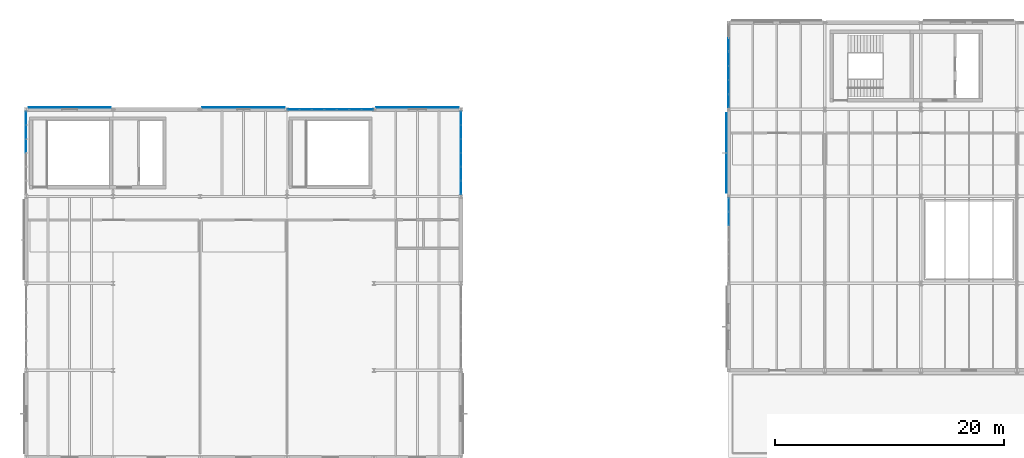
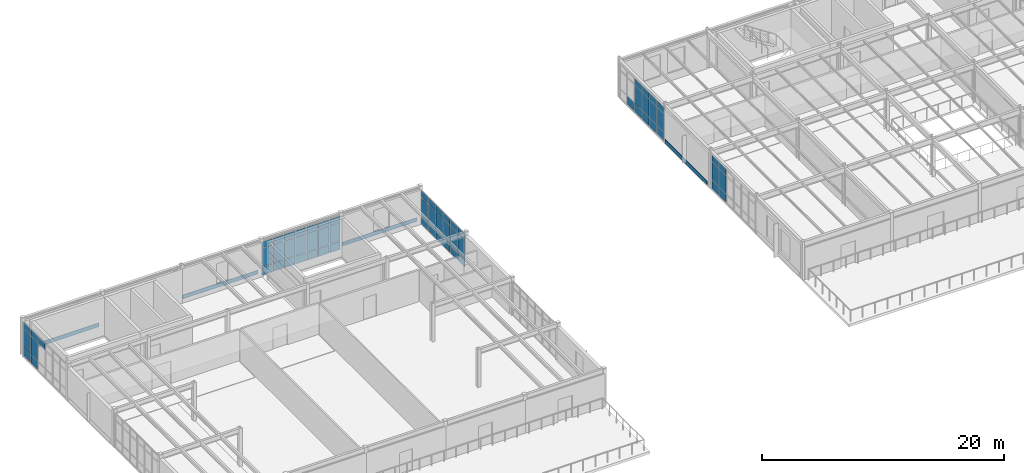
# One storey, part 72 of 114: 69 plates, 5 elements without a shape of their own.
"""IFC4 building model written with IfcOpenShell, lengths in metres."""

from ifc_helpers import new_model, si_unit, direction, frame, origin, origin_2d, place, context, subcontext, project, spatial, rectangle, extrude, material, layer, layer_set, type_object, element, aggregate, save


model = new_model("IFC4")

# Units and contexts
model_context = context("Model", 3, precision=1e-05, world=origin(), true_north=direction((0.0, 1.0)))
body_context = subcontext(model_context, "Body", "Model", "MODEL_VIEW")
ifc_project = project(units=[si_unit("LENGTHUNIT", "METRE"), si_unit("AREAUNIT", "SQUARE_METRE"), si_unit("VOLUMEUNIT", "CUBIC_METRE"), si_unit("PLANEANGLEUNIT", "RADIAN"), si_unit("MASSUNIT", "GRAM", prefix="KILO")], contexts=[model_context])

# Site, building, storey
site_placement = place(None, origin())
site = spatial("IfcSite", under=ifc_project, at=site_placement, CompositionType="ELEMENT")
building_placement = place(site_placement, origin())
building = spatial("IfcBuilding", under=site, at=building_placement, Name="Montecoro Central Library", CompositionType="ELEMENT")
storey_placement = place(building_placement, frame((0.0, 0.0, 13.260009765625)))
storey = spatial("IfcBuildingStorey", under=building, at=storey_placement, Name="L03", CompositionType="ELEMENT", Elevation=13.260009765625)

# Curtain wall, plates
ifc_material_1 = material(Name="Bronze-anodised aluminium and low-E glazing", Category="aluminium")
ifc_layer_1 = layer(ifc_material_1, 0.159912109375)
ifc_layer_set_1 = layer_set([ifc_layer_1], Name="Bronze-anodised aluminium and low-E glazing")
curtain_wall_type_1 = type_object("IfcCurtainWallType", Name="CWT-020", PredefinedType="NOTDEFINED", material=ifc_layer_set_1)
curtain_wall_1_placement = place(storey_placement, origin())
curtain_wall_1 = element("IfcCurtainWall", 1, at=curtain_wall_1_placement, inside=storey, type_object=curtain_wall_type_1, Name="V2-L03-CW-W1", PredefinedType="NOTDEFINED")
ifc_material_2 = material(Name="Laminated low-E double glazing", Category="glass")
ifc_layer_2 = layer(ifc_material_2, 0.02587890625)
ifc_layer_set_2 = layer_set([ifc_layer_2], Name="Laminated low-E double glazing")
plate_type_1 = type_object("IfcPlateType", Name="CWP-GLZ-01", PredefinedType="CURTAIN_PANEL", material=ifc_layer_set_2)
plate_1_placement = place(storey_placement, frame((66.39990234375, 103.0576171875, 0.06005859375), z_axis=(0.0, 0.0, 1.0), x_axis=(0.0, -1.0, 0.0)))
plate_1 = element("IfcPlate", 2, at=plate_1_placement, type_object=plate_type_1, Name="CW-020 panel 1.1", PredefinedType="CURTAIN_PANEL", context=body_context, shape_type="SweptSolid", body=[
    extrude(rectangle(XDim=1.138916015625, YDim=0.02587890625, at=origin_2d()), origin(), (0.0, 0.0, 1.0), 0.81005859375),
])
plate_2_placement = place(storey_placement, frame((66.39990234375, 103.0576171875, 0.93017578125), z_axis=(0.0, 0.0, 1.0), x_axis=(0.0, -1.0, 0.0)))
plate_2 = element("IfcPlate", 3, at=plate_2_placement, type_object=plate_type_1, Name="CW-020 panel 1.2", PredefinedType="CURTAIN_PANEL", context=body_context, shape_type="SweptSolid", body=[
    extrude(rectangle(XDim=1.138916015625, YDim=0.02587890625, at=origin_2d()), origin(), (0.0, 0.0, 1.0), 1.820068359375),
])
plate_3_placement = place(storey_placement, frame((66.39990234375, 103.0576171875, 2.81005859375), z_axis=(0.0, 0.0, 1.0), x_axis=(0.0, -1.0, 0.0)))
plate_3 = element("IfcPlate", 4, at=plate_3_placement, type_object=plate_type_1, Name="CW-020 panel 1.3", PredefinedType="CURTAIN_PANEL", context=body_context, shape_type="SweptSolid", body=[
    extrude(rectangle(XDim=1.138916015625, YDim=0.02587890625, at=origin_2d()), origin(), (0.0, 0.0, 1.0), 0.610107421875),
])
plate_4_placement = place(storey_placement, frame((66.39990234375, 101.843505859375, 0.06005859375), z_axis=(0.0, 0.0, 1.0), x_axis=(0.0, -1.0, 0.0)))
plate_4 = element("IfcPlate", 5, at=plate_4_placement, type_object=plate_type_1, Name="CW-020 panel 2.1", PredefinedType="CURTAIN_PANEL", context=body_context, shape_type="SweptSolid", body=[
    extrude(rectangle(XDim=1.1689453125, YDim=0.02587890625, at=origin_2d()), origin(), (0.0, 0.0, 1.0), 0.81005859375),
])
plate_5_placement = place(storey_placement, frame((66.39990234375, 101.843505859375, 0.93017578125), z_axis=(0.0, 0.0, 1.0), x_axis=(0.0, -1.0, 0.0)))
plate_5 = element("IfcPlate", 6, at=plate_5_placement, type_object=plate_type_1, Name="CW-020 panel 2.2", PredefinedType="CURTAIN_PANEL", context=body_context, shape_type="SweptSolid", body=[
    extrude(rectangle(XDim=1.1689453125, YDim=0.02587890625, at=origin_2d()), origin(), (0.0, 0.0, 1.0), 1.820068359375),
])
plate_6_placement = place(storey_placement, frame((66.39990234375, 101.843505859375, 2.81005859375), z_axis=(0.0, 0.0, 1.0), x_axis=(0.0, -1.0, 0.0)))
plate_6 = element("IfcPlate", 7, at=plate_6_placement, type_object=plate_type_1, Name="CW-020 panel 2.3", PredefinedType="CURTAIN_PANEL", context=body_context, shape_type="SweptSolid", body=[
    extrude(rectangle(XDim=1.1689453125, YDim=0.02587890625, at=origin_2d()), origin(), (0.0, 0.0, 1.0), 0.610107421875),
])
aggregate(curtain_wall_1, [plate_1, plate_2, plate_3, plate_4, plate_5, plate_6])

curtain_wall_2_placement = place(storey_placement, origin())
curtain_wall_2 = element("IfcCurtainWall", 8, at=curtain_wall_2_placement, inside=storey, type_object=curtain_wall_type_1, Name="V2-L03-CW-W3", PredefinedType="NOTDEFINED")
ifc_layer_3 = layer(ifc_material_2, 0.033935546875)
ifc_layer_set_3 = layer_set([ifc_layer_3], Name="Laminated low-E double glazing")
plate_type_2 = type_object("IfcPlateType", Name="CWP-GLZ-03", PredefinedType="CURTAIN_PANEL", material=ifc_layer_set_3)
plate_7_placement = place(storey_placement, frame((66.39990234375, 117.04345703125, 0.06005859375), z_axis=(0.0, 0.0, 1.0), x_axis=(0.0, -1.0, 0.0)))
plate_7 = element("IfcPlate", 9, at=plate_7_placement, type_object=plate_type_2, Name="CW-020 panel 2.1", PredefinedType="CURTAIN_PANEL", context=body_context, shape_type="SweptSolid", body=[
    extrude(rectangle(XDim=1.1689453125, YDim=0.033935546875, at=origin_2d()), origin(), (0.0, 0.0, 1.0), 0.81005859375),
])
plate_8_placement = place(storey_placement, frame((66.39990234375, 115.814453125, 0.06005859375), z_axis=(0.0, 0.0, 1.0), x_axis=(0.0, -1.0, 0.0)))
plate_8 = element("IfcPlate", 10, at=plate_8_placement, type_object=plate_type_2, Name="CW-020 panel 3.1", PredefinedType="CURTAIN_PANEL", context=body_context, shape_type="SweptSolid", body=[
    extrude(rectangle(XDim=1.1689453125, YDim=0.033935546875, at=origin_2d()), origin(), (0.0, 0.0, 1.0), 0.81005859375),
])
plate_9_placement = place(storey_placement, frame((66.39990234375, 115.814453125, 0.93017578125), z_axis=(0.0, 0.0, 1.0), x_axis=(0.0, -1.0, 0.0)))
plate_9 = element("IfcPlate", 11, at=plate_9_placement, type_object=plate_type_2, Name="CW-020 panel 3.2", PredefinedType="CURTAIN_PANEL", context=body_context, shape_type="SweptSolid", body=[
    extrude(rectangle(XDim=1.1689453125, YDim=0.033935546875, at=origin_2d()), origin(), (0.0, 0.0, 1.0), 1.820068359375),
])
plate_10_placement = place(storey_placement, frame((66.39990234375, 115.814453125, 2.81005859375), z_axis=(0.0, 0.0, 1.0), x_axis=(0.0, -1.0, 0.0)))
plate_10 = element("IfcPlate", 12, at=plate_10_placement, type_object=plate_type_2, Name="CW-020 panel 3.3", PredefinedType="CURTAIN_PANEL", context=body_context, shape_type="SweptSolid", body=[
    extrude(rectangle(XDim=1.1689453125, YDim=0.033935546875, at=origin_2d()), origin(), (0.0, 0.0, 1.0), 0.610107421875),
])
plate_11_placement = place(storey_placement, frame((66.39990234375, 114.58544921875, 0.06005859375), z_axis=(0.0, 0.0, 1.0), x_axis=(0.0, -1.0, 0.0)))
plate_11 = element("IfcPlate", 13, at=plate_11_placement, type_object=plate_type_2, Name="CW-020 panel 4.1", PredefinedType="CURTAIN_PANEL", context=body_context, shape_type="SweptSolid", body=[
    extrude(rectangle(XDim=1.1689453125, YDim=0.033935546875, at=origin_2d()), origin(), (0.0, 0.0, 1.0), 0.81005859375),
])
plate_12_placement = place(storey_placement, frame((66.39990234375, 114.58544921875, 0.93017578125), z_axis=(0.0, 0.0, 1.0), x_axis=(0.0, -1.0, 0.0)))
plate_12 = element("IfcPlate", 14, at=plate_12_placement, type_object=plate_type_2, Name="CW-020 panel 4.2", PredefinedType="CURTAIN_PANEL", context=body_context, shape_type="SweptSolid", body=[
    extrude(rectangle(XDim=1.1689453125, YDim=0.033935546875, at=origin_2d()), origin(), (0.0, 0.0, 1.0), 1.820068359375),
])
plate_13_placement = place(storey_placement, frame((66.39990234375, 114.58544921875, 2.81005859375), z_axis=(0.0, 0.0, 1.0), x_axis=(0.0, -1.0, 0.0)))
plate_13 = element("IfcPlate", 15, at=plate_13_placement, type_object=plate_type_2, Name="CW-020 panel 4.3", PredefinedType="CURTAIN_PANEL", context=body_context, shape_type="SweptSolid", body=[
    extrude(rectangle(XDim=1.1689453125, YDim=0.033935546875, at=origin_2d()), origin(), (0.0, 0.0, 1.0), 0.610107421875),
])
plate_14_placement = place(storey_placement, frame((66.39990234375, 113.3564453125, 0.06005859375), z_axis=(0.0, 0.0, 1.0), x_axis=(0.0, -1.0, 0.0)))
plate_14 = element("IfcPlate", 16, at=plate_14_placement, type_object=plate_type_2, Name="CW-020 panel 5.1", PredefinedType="CURTAIN_PANEL", context=body_context, shape_type="SweptSolid", body=[
    extrude(rectangle(XDim=1.1689453125, YDim=0.033935546875, at=origin_2d()), origin(), (0.0, 0.0, 1.0), 0.81005859375),
])
plate_15_placement = place(storey_placement, frame((66.39990234375, 113.3564453125, 0.93017578125), z_axis=(0.0, 0.0, 1.0), x_axis=(0.0, -1.0, 0.0)))
plate_15 = element("IfcPlate", 17, at=plate_15_placement, type_object=plate_type_2, Name="CW-020 panel 5.2", PredefinedType="CURTAIN_PANEL", context=body_context, shape_type="SweptSolid", body=[
    extrude(rectangle(XDim=1.1689453125, YDim=0.033935546875, at=origin_2d()), origin(), (0.0, 0.0, 1.0), 1.820068359375),
])
plate_16_placement = place(storey_placement, frame((66.39990234375, 113.3564453125, 2.81005859375), z_axis=(0.0, 0.0, 1.0), x_axis=(0.0, -1.0, 0.0)))
plate_16 = element("IfcPlate", 18, at=plate_16_placement, type_object=plate_type_2, Name="CW-020 panel 5.3", PredefinedType="CURTAIN_PANEL", context=body_context, shape_type="SweptSolid", body=[
    extrude(rectangle(XDim=1.1689453125, YDim=0.033935546875, at=origin_2d()), origin(), (0.0, 0.0, 1.0), 0.610107421875),
])
plate_17_placement = place(storey_placement, frame((66.39990234375, 112.142578125, 0.06005859375), z_axis=(0.0, 0.0, 1.0), x_axis=(0.0, -1.0, 0.0)))
plate_17 = element("IfcPlate", 19, at=plate_17_placement, type_object=plate_type_2, Name="CW-020 panel 6.1", PredefinedType="CURTAIN_PANEL", context=body_context, shape_type="SweptSolid", body=[
    extrude(rectangle(XDim=1.138916015625, YDim=0.033935546875, at=origin_2d()), origin(), (0.0, 0.0, 1.0), 0.81005859375),
])
plate_18_placement = place(storey_placement, frame((66.39990234375, 112.142578125, 0.93017578125), z_axis=(0.0, 0.0, 1.0), x_axis=(0.0, -1.0, 0.0)))
plate_18 = element("IfcPlate", 20, at=plate_18_placement, type_object=plate_type_2, Name="CW-020 panel 6.2", PredefinedType="CURTAIN_PANEL", context=body_context, shape_type="SweptSolid", body=[
    extrude(rectangle(XDim=1.138916015625, YDim=0.033935546875, at=origin_2d()), origin(), (0.0, 0.0, 1.0), 1.820068359375),
])
plate_19_placement = place(storey_placement, frame((66.39990234375, 112.142578125, 2.81005859375), z_axis=(0.0, 0.0, 1.0), x_axis=(0.0, -1.0, 0.0)))
plate_19 = element("IfcPlate", 21, at=plate_19_placement, type_object=plate_type_2, Name="CW-020 panel 6.3", PredefinedType="CURTAIN_PANEL", context=body_context, shape_type="SweptSolid", body=[
    extrude(rectangle(XDim=1.138916015625, YDim=0.033935546875, at=origin_2d()), origin(), (0.0, 0.0, 1.0), 0.610107421875),
])
aggregate(curtain_wall_2, [plate_7, plate_8, plate_9, plate_10, plate_11, plate_12, plate_13, plate_14, plate_15, plate_16, plate_17, plate_18, plate_19])

ifc_layer_4 = layer(ifc_material_1, 0.159912109375)
ifc_layer_set_4 = layer_set([ifc_layer_4], Name="Bronze-anodised aluminium and low-E glazing")
curtain_wall_type_2 = type_object("IfcCurtainWallType", Name="CWT-050", PredefinedType="NOTDEFINED", material=ifc_layer_set_4)
curtain_wall_3_placement = place(storey_placement, origin())
curtain_wall_3 = element("IfcCurtainWall", 22, at=curtain_wall_3_placement, inside=storey, type_object=curtain_wall_type_2, Name="V4-L03-CW-E3", PredefinedType="NOTDEFINED")
plate_20_placement = place(storey_placement, frame((43.0, 104.57177734375, 0.06005859375), z_axis=(0.0, 0.0, 1.0), x_axis=(0.0, 1.0, 0.0)))
plate_20 = element("IfcPlate", 23, at=plate_20_placement, type_object=plate_type_2, Name="CW-050 panel 1.1", PredefinedType="CURTAIN_PANEL", context=body_context, shape_type="SweptSolid", body=[
    extrude(rectangle(XDim=1.12744140625, YDim=0.033935546875, at=origin_2d()), origin(), (0.0, 0.0, 1.0), 0.81005859375),
])
plate_21_placement = place(storey_placement, frame((43.0, 104.57177734375, 0.93017578125), z_axis=(0.0, 0.0, 1.0), x_axis=(0.0, 1.0, 0.0)))
plate_21 = element("IfcPlate", 24, at=plate_21_placement, type_object=plate_type_2, Name="CW-050 panel 1.2", PredefinedType="CURTAIN_PANEL", context=body_context, shape_type="SweptSolid", body=[
    extrude(rectangle(XDim=1.12744140625, YDim=0.033935546875, at=origin_2d()), origin(), (0.0, 0.0, 1.0), 1.820068359375),
])
plate_22_placement = place(storey_placement, frame((43.0, 104.57177734375, 2.81005859375), z_axis=(0.0, 0.0, 1.0), x_axis=(0.0, 1.0, 0.0)))
plate_22 = element("IfcPlate", 25, at=plate_22_placement, type_object=plate_type_2, Name="CW-050 panel 1.3", PredefinedType="CURTAIN_PANEL", context=body_context, shape_type="SweptSolid", body=[
    extrude(rectangle(XDim=1.12744140625, YDim=0.033935546875, at=origin_2d()), origin(), (0.0, 0.0, 1.0), 0.610107421875),
])
plate_23_placement = place(storey_placement, frame((43.0, 105.77392578125, 0.06005859375), z_axis=(0.0, 0.0, 1.0), x_axis=(0.0, 1.0, 0.0)))
plate_23 = element("IfcPlate", 26, at=plate_23_placement, type_object=plate_type_2, Name="CW-050 panel 2.1", PredefinedType="CURTAIN_PANEL", context=body_context, shape_type="SweptSolid", body=[
    extrude(rectangle(XDim=1.1572265625, YDim=0.033935546875, at=origin_2d()), origin(), (0.0, 0.0, 1.0), 0.81005859375),
])
plate_24_placement = place(storey_placement, frame((43.0, 105.77392578125, 0.93017578125), z_axis=(0.0, 0.0, 1.0), x_axis=(0.0, 1.0, 0.0)))
plate_24 = element("IfcPlate", 27, at=plate_24_placement, type_object=plate_type_2, Name="CW-050 panel 2.2", PredefinedType="CURTAIN_PANEL", context=body_context, shape_type="SweptSolid", body=[
    extrude(rectangle(XDim=1.1572265625, YDim=0.033935546875, at=origin_2d()), origin(), (0.0, 0.0, 1.0), 1.820068359375),
])
plate_25_placement = place(storey_placement, frame((43.0, 105.77392578125, 2.81005859375), z_axis=(0.0, 0.0, 1.0), x_axis=(0.0, 1.0, 0.0)))
plate_25 = element("IfcPlate", 28, at=plate_25_placement, type_object=plate_type_2, Name="CW-050 panel 2.3", PredefinedType="CURTAIN_PANEL", context=body_context, shape_type="SweptSolid", body=[
    extrude(rectangle(XDim=1.1572265625, YDim=0.033935546875, at=origin_2d()), origin(), (0.0, 0.0, 1.0), 0.610107421875),
])
plate_26_placement = place(storey_placement, frame((43.0, 106.991455078125, 0.06005859375), z_axis=(0.0, 0.0, 1.0), x_axis=(0.0, 1.0, 0.0)))
plate_26 = element("IfcPlate", 29, at=plate_26_placement, type_object=plate_type_2, Name="CW-050 panel 3.1", PredefinedType="CURTAIN_PANEL", context=body_context, shape_type="SweptSolid", body=[
    extrude(rectangle(XDim=1.1572265625, YDim=0.033935546875, at=origin_2d()), origin(), (0.0, 0.0, 1.0), 0.81005859375),
])
plate_27_placement = place(storey_placement, frame((43.0, 106.991455078125, 0.93017578125), z_axis=(0.0, 0.0, 1.0), x_axis=(0.0, 1.0, 0.0)))
plate_27 = element("IfcPlate", 30, at=plate_27_placement, type_object=plate_type_2, Name="CW-050 panel 3.2", PredefinedType="CURTAIN_PANEL", context=body_context, shape_type="SweptSolid", body=[
    extrude(rectangle(XDim=1.1572265625, YDim=0.033935546875, at=origin_2d()), origin(), (0.0, 0.0, 1.0), 1.820068359375),
])
plate_28_placement = place(storey_placement, frame((43.0, 106.991455078125, 2.81005859375), z_axis=(0.0, 0.0, 1.0), x_axis=(0.0, 1.0, 0.0)))
plate_28 = element("IfcPlate", 31, at=plate_28_placement, type_object=plate_type_2, Name="CW-050 panel 3.3", PredefinedType="CURTAIN_PANEL", context=body_context, shape_type="SweptSolid", body=[
    extrude(rectangle(XDim=1.1572265625, YDim=0.033935546875, at=origin_2d()), origin(), (0.0, 0.0, 1.0), 0.610107421875),
])
plate_29_placement = place(storey_placement, frame((43.0, 108.208740234375, 0.06005859375), z_axis=(0.0, 0.0, 1.0), x_axis=(0.0, 1.0, 0.0)))
plate_29 = element("IfcPlate", 32, at=plate_29_placement, type_object=plate_type_2, Name="CW-050 panel 4.1", PredefinedType="CURTAIN_PANEL", context=body_context, shape_type="SweptSolid", body=[
    extrude(rectangle(XDim=1.1572265625, YDim=0.033935546875, at=origin_2d()), origin(), (0.0, 0.0, 1.0), 0.81005859375),
])
plate_30_placement = place(storey_placement, frame((43.0, 108.208740234375, 0.93017578125), z_axis=(0.0, 0.0, 1.0), x_axis=(0.0, 1.0, 0.0)))
plate_30 = element("IfcPlate", 33, at=plate_30_placement, type_object=plate_type_2, Name="CW-050 panel 4.2", PredefinedType="CURTAIN_PANEL", context=body_context, shape_type="SweptSolid", body=[
    extrude(rectangle(XDim=1.1572265625, YDim=0.033935546875, at=origin_2d()), origin(), (0.0, 0.0, 1.0), 1.820068359375),
])
plate_31_placement = place(storey_placement, frame((43.0, 108.208740234375, 2.81005859375), z_axis=(0.0, 0.0, 1.0), x_axis=(0.0, 1.0, 0.0)))
plate_31 = element("IfcPlate", 34, at=plate_31_placement, type_object=plate_type_2, Name="CW-050 panel 4.3", PredefinedType="CURTAIN_PANEL", context=body_context, shape_type="SweptSolid", body=[
    extrude(rectangle(XDim=1.1572265625, YDim=0.033935546875, at=origin_2d()), origin(), (0.0, 0.0, 1.0), 0.610107421875),
])
plate_32_placement = place(storey_placement, frame((43.0, 109.426025390625, 0.06005859375), z_axis=(0.0, 0.0, 1.0), x_axis=(0.0, 1.0, 0.0)))
plate_32 = element("IfcPlate", 35, at=plate_32_placement, type_object=plate_type_2, Name="CW-050 panel 5.1", PredefinedType="CURTAIN_PANEL", context=body_context, shape_type="SweptSolid", body=[
    extrude(rectangle(XDim=1.1572265625, YDim=0.033935546875, at=origin_2d()), origin(), (0.0, 0.0, 1.0), 0.81005859375),
])
plate_33_placement = place(storey_placement, frame((43.0, 109.426025390625, 0.93017578125), z_axis=(0.0, 0.0, 1.0), x_axis=(0.0, 1.0, 0.0)))
plate_33 = element("IfcPlate", 36, at=plate_33_placement, type_object=plate_type_2, Name="CW-050 panel 5.2", PredefinedType="CURTAIN_PANEL", context=body_context, shape_type="SweptSolid", body=[
    extrude(rectangle(XDim=1.1572265625, YDim=0.033935546875, at=origin_2d()), origin(), (0.0, 0.0, 1.0), 1.820068359375),
])
plate_34_placement = place(storey_placement, frame((43.0, 109.426025390625, 2.81005859375), z_axis=(0.0, 0.0, 1.0), x_axis=(0.0, 1.0, 0.0)))
plate_34 = element("IfcPlate", 37, at=plate_34_placement, type_object=plate_type_2, Name="CW-050 panel 5.3", PredefinedType="CURTAIN_PANEL", context=body_context, shape_type="SweptSolid", body=[
    extrude(rectangle(XDim=1.1572265625, YDim=0.033935546875, at=origin_2d()), origin(), (0.0, 0.0, 1.0), 0.610107421875),
])
plate_35_placement = place(storey_placement, frame((43.0, 110.62841796875, 0.06005859375), z_axis=(0.0, 0.0, 1.0), x_axis=(0.0, 1.0, 0.0)))
plate_35 = element("IfcPlate", 38, at=plate_35_placement, type_object=plate_type_2, Name="CW-050 panel 6.1", PredefinedType="CURTAIN_PANEL", context=body_context, shape_type="SweptSolid", body=[
    extrude(rectangle(XDim=1.12744140625, YDim=0.033935546875, at=origin_2d()), origin(), (0.0, 0.0, 1.0), 0.81005859375),
])
plate_36_placement = place(storey_placement, frame((43.0, 110.62841796875, 0.93017578125), z_axis=(0.0, 0.0, 1.0), x_axis=(0.0, 1.0, 0.0)))
plate_36 = element("IfcPlate", 39, at=plate_36_placement, type_object=plate_type_2, Name="CW-050 panel 6.2", PredefinedType="CURTAIN_PANEL", context=body_context, shape_type="SweptSolid", body=[
    extrude(rectangle(XDim=1.12744140625, YDim=0.033935546875, at=origin_2d()), origin(), (0.0, 0.0, 1.0), 1.820068359375),
])
plate_37_placement = place(storey_placement, frame((43.0, 110.62841796875, 2.81005859375), z_axis=(0.0, 0.0, 1.0), x_axis=(0.0, 1.0, 0.0)))
plate_37 = element("IfcPlate", 40, at=plate_37_placement, type_object=plate_type_2, Name="CW-050 panel 6.3", PredefinedType="CURTAIN_PANEL", context=body_context, shape_type="SweptSolid", body=[
    extrude(rectangle(XDim=1.12744140625, YDim=0.033935546875, at=origin_2d()), origin(), (0.0, 0.0, 1.0), 0.610107421875),
])
aggregate(curtain_wall_3, [plate_20, plate_21, plate_22, plate_23, plate_24, plate_25, plate_26, plate_27, plate_28, plate_29, plate_30, plate_31, plate_32, plate_33, plate_34, plate_35, plate_36, plate_37])

ifc_layer_5 = layer(ifc_material_1, 0.159912109375)
ifc_layer_set_5 = layer_set([ifc_layer_5], Name="Bronze-anodised aluminium and low-E glazing")
curtain_wall_type_3 = type_object("IfcCurtainWallType", Name="CWT-051", PredefinedType="NOTDEFINED", material=ifc_layer_set_5)
curtain_wall_4_placement = place(storey_placement, origin())
curtain_wall_4 = element("IfcCurtainWall", 41, at=curtain_wall_4_placement, inside=storey, type_object=curtain_wall_type_3, Name="V4-L03-CW-N3", PredefinedType="NOTDEFINED")
plate_38_placement = place(storey_placement, frame((34.838623046875, 111.39990234375, 0.06005859375), z_axis=(0.0, 0.0, 1.0), x_axis=(-1.0, 0.0, 0.0)))
plate_38 = element("IfcPlate", 42, at=plate_38_placement, type_object=plate_type_2, Name="CW-051 panel 1.1", PredefinedType="CURTAIN_PANEL", context=body_context, shape_type="SweptSolid", body=[
    extrude(rectangle(XDim=0.99462890625, YDim=0.033935546875, at=origin_2d()), origin(), (0.0, 0.0, 1.0), 0.81005859375),
])
plate_39_placement = place(storey_placement, frame((34.838623046875, 111.39990234375, 0.93017578125), z_axis=(0.0, 0.0, 1.0), x_axis=(-1.0, 0.0, 0.0)))
plate_39 = element("IfcPlate", 43, at=plate_39_placement, type_object=plate_type_2, Name="CW-051 panel 1.2", PredefinedType="CURTAIN_PANEL", context=body_context, shape_type="SweptSolid", body=[
    extrude(rectangle(XDim=0.99462890625, YDim=0.033935546875, at=origin_2d()), origin(), (0.0, 0.0, 1.0), 1.820068359375),
])
plate_40_placement = place(storey_placement, frame((34.838623046875, 111.39990234375, 2.81005859375), z_axis=(0.0, 0.0, 1.0), x_axis=(-1.0, 0.0, 0.0)))
plate_40 = element("IfcPlate", 44, at=plate_40_placement, type_object=plate_type_2, Name="CW-051 panel 1.3", PredefinedType="CURTAIN_PANEL", context=body_context, shape_type="SweptSolid", body=[
    extrude(rectangle(XDim=0.99462890625, YDim=0.033935546875, at=origin_2d()), origin(), (0.0, 0.0, 1.0), 0.610107421875),
])
plate_41_placement = place(storey_placement, frame((33.76904296875, 111.39990234375, 0.06005859375), z_axis=(0.0, 0.0, 1.0), x_axis=(-1.0, 0.0, 0.0)))
plate_41 = element("IfcPlate", 45, at=plate_41_placement, type_object=plate_type_2, Name="CW-051 panel 2.1", PredefinedType="CURTAIN_PANEL", context=body_context, shape_type="SweptSolid", body=[
    extrude(rectangle(XDim=1.024658203125, YDim=0.033935546875, at=origin_2d()), origin(), (0.0, 0.0, 1.0), 0.81005859375),
])
plate_42_placement = place(storey_placement, frame((33.76904296875, 111.39990234375, 0.93017578125), z_axis=(0.0, 0.0, 1.0), x_axis=(-1.0, 0.0, 0.0)))
plate_42 = element("IfcPlate", 46, at=plate_42_placement, type_object=plate_type_2, Name="CW-051 panel 2.2", PredefinedType="CURTAIN_PANEL", context=body_context, shape_type="SweptSolid", body=[
    extrude(rectangle(XDim=1.024658203125, YDim=0.033935546875, at=origin_2d()), origin(), (0.0, 0.0, 1.0), 1.820068359375),
])
plate_43_placement = place(storey_placement, frame((33.76904296875, 111.39990234375, 2.81005859375), z_axis=(0.0, 0.0, 1.0), x_axis=(-1.0, 0.0, 0.0)))
plate_43 = element("IfcPlate", 47, at=plate_43_placement, type_object=plate_type_2, Name="CW-051 panel 2.3", PredefinedType="CURTAIN_PANEL", context=body_context, shape_type="SweptSolid", body=[
    extrude(rectangle(XDim=1.024658203125, YDim=0.033935546875, at=origin_2d()), origin(), (0.0, 0.0, 1.0), 0.610107421875),
])
plate_44_placement = place(storey_placement, frame((32.6845703125, 111.39990234375, 0.06005859375), z_axis=(0.0, 0.0, 1.0), x_axis=(-1.0, 0.0, 0.0)))
plate_44 = element("IfcPlate", 48, at=plate_44_placement, type_object=plate_type_2, Name="CW-051 panel 3.1", PredefinedType="CURTAIN_PANEL", context=body_context, shape_type="SweptSolid", body=[
    extrude(rectangle(XDim=1.024658203125, YDim=0.033935546875, at=origin_2d()), origin(), (0.0, 0.0, 1.0), 0.81005859375),
])
plate_45_placement = place(storey_placement, frame((32.6845703125, 111.39990234375, 0.93017578125), z_axis=(0.0, 0.0, 1.0), x_axis=(-1.0, 0.0, 0.0)))
plate_45 = element("IfcPlate", 49, at=plate_45_placement, type_object=plate_type_2, Name="CW-051 panel 3.2", PredefinedType="CURTAIN_PANEL", context=body_context, shape_type="SweptSolid", body=[
    extrude(rectangle(XDim=1.024658203125, YDim=0.033935546875, at=origin_2d()), origin(), (0.0, 0.0, 1.0), 1.820068359375),
])
plate_46_placement = place(storey_placement, frame((32.6845703125, 111.39990234375, 2.81005859375), z_axis=(0.0, 0.0, 1.0), x_axis=(-1.0, 0.0, 0.0)))
plate_46 = element("IfcPlate", 50, at=plate_46_placement, type_object=plate_type_2, Name="CW-051 panel 3.3", PredefinedType="CURTAIN_PANEL", context=body_context, shape_type="SweptSolid", body=[
    extrude(rectangle(XDim=1.024658203125, YDim=0.033935546875, at=origin_2d()), origin(), (0.0, 0.0, 1.0), 0.610107421875),
])
plate_47_placement = place(storey_placement, frame((31.60009765625, 111.39990234375, 0.06005859375), z_axis=(0.0, 0.0, 1.0), x_axis=(-1.0, 0.0, 0.0)))
plate_47 = element("IfcPlate", 51, at=plate_47_placement, type_object=plate_type_2, Name="CW-051 panel 4.1", PredefinedType="CURTAIN_PANEL", context=body_context, shape_type="SweptSolid", body=[
    extrude(rectangle(XDim=1.024658203125, YDim=0.033935546875, at=origin_2d()), origin(), (0.0, 0.0, 1.0), 0.81005859375),
])
plate_48_placement = place(storey_placement, frame((31.60009765625, 111.39990234375, 0.93017578125), z_axis=(0.0, 0.0, 1.0), x_axis=(-1.0, 0.0, 0.0)))
plate_48 = element("IfcPlate", 52, at=plate_48_placement, type_object=plate_type_2, Name="CW-051 panel 4.2", PredefinedType="CURTAIN_PANEL", context=body_context, shape_type="SweptSolid", body=[
    extrude(rectangle(XDim=1.024658203125, YDim=0.033935546875, at=origin_2d()), origin(), (0.0, 0.0, 1.0), 1.820068359375),
])
plate_49_placement = place(storey_placement, frame((31.60009765625, 111.39990234375, 2.81005859375), z_axis=(0.0, 0.0, 1.0), x_axis=(-1.0, 0.0, 0.0)))
plate_49 = element("IfcPlate", 53, at=plate_49_placement, type_object=plate_type_2, Name="CW-051 panel 4.3", PredefinedType="CURTAIN_PANEL", context=body_context, shape_type="SweptSolid", body=[
    extrude(rectangle(XDim=1.024658203125, YDim=0.033935546875, at=origin_2d()), origin(), (0.0, 0.0, 1.0), 0.610107421875),
])
plate_50_placement = place(storey_placement, frame((30.515380859375, 111.39990234375, 0.06005859375), z_axis=(0.0, 0.0, 1.0), x_axis=(-1.0, 0.0, 0.0)))
plate_50 = element("IfcPlate", 54, at=plate_50_placement, type_object=plate_type_2, Name="CW-051 panel 5.1", PredefinedType="CURTAIN_PANEL", context=body_context, shape_type="SweptSolid", body=[
    extrude(rectangle(XDim=1.024658203125, YDim=0.033935546875, at=origin_2d()), origin(), (0.0, 0.0, 1.0), 0.81005859375),
])
plate_51_placement = place(storey_placement, frame((30.515380859375, 111.39990234375, 0.93017578125), z_axis=(0.0, 0.0, 1.0), x_axis=(-1.0, 0.0, 0.0)))
plate_51 = element("IfcPlate", 55, at=plate_51_placement, type_object=plate_type_2, Name="CW-051 panel 5.2", PredefinedType="CURTAIN_PANEL", context=body_context, shape_type="SweptSolid", body=[
    extrude(rectangle(XDim=1.024658203125, YDim=0.033935546875, at=origin_2d()), origin(), (0.0, 0.0, 1.0), 1.820068359375),
])
plate_52_placement = place(storey_placement, frame((30.515380859375, 111.39990234375, 2.81005859375), z_axis=(0.0, 0.0, 1.0), x_axis=(-1.0, 0.0, 0.0)))
plate_52 = element("IfcPlate", 56, at=plate_52_placement, type_object=plate_type_2, Name="CW-051 panel 5.3", PredefinedType="CURTAIN_PANEL", context=body_context, shape_type="SweptSolid", body=[
    extrude(rectangle(XDim=1.024658203125, YDim=0.033935546875, at=origin_2d()), origin(), (0.0, 0.0, 1.0), 0.610107421875),
])
plate_53_placement = place(storey_placement, frame((29.430908203125, 111.39990234375, 0.06005859375), z_axis=(0.0, 0.0, 1.0), x_axis=(-1.0, 0.0, 0.0)))
plate_53 = element("IfcPlate", 57, at=plate_53_placement, type_object=plate_type_2, Name="CW-051 panel 6.1", PredefinedType="CURTAIN_PANEL", context=body_context, shape_type="SweptSolid", body=[
    extrude(rectangle(XDim=1.024658203125, YDim=0.033935546875, at=origin_2d()), origin(), (0.0, 0.0, 1.0), 0.81005859375),
])
plate_54_placement = place(storey_placement, frame((29.430908203125, 111.39990234375, 0.93017578125), z_axis=(0.0, 0.0, 1.0), x_axis=(-1.0, 0.0, 0.0)))
plate_54 = element("IfcPlate", 58, at=plate_54_placement, type_object=plate_type_2, Name="CW-051 panel 6.2", PredefinedType="CURTAIN_PANEL", context=body_context, shape_type="SweptSolid", body=[
    extrude(rectangle(XDim=1.024658203125, YDim=0.033935546875, at=origin_2d()), origin(), (0.0, 0.0, 1.0), 1.820068359375),
])
plate_55_placement = place(storey_placement, frame((29.430908203125, 111.39990234375, 2.81005859375), z_axis=(0.0, 0.0, 1.0), x_axis=(-1.0, 0.0, 0.0)))
plate_55 = element("IfcPlate", 59, at=plate_55_placement, type_object=plate_type_2, Name="CW-051 panel 6.3", PredefinedType="CURTAIN_PANEL", context=body_context, shape_type="SweptSolid", body=[
    extrude(rectangle(XDim=1.024658203125, YDim=0.033935546875, at=origin_2d()), origin(), (0.0, 0.0, 1.0), 0.610107421875),
])
plate_56_placement = place(storey_placement, frame((28.361328125, 111.39990234375, 0.06005859375), z_axis=(0.0, 0.0, 1.0), x_axis=(-1.0, 0.0, 0.0)))
plate_56 = element("IfcPlate", 60, at=plate_56_placement, type_object=plate_type_2, Name="CW-051 panel 7.1", PredefinedType="CURTAIN_PANEL", context=body_context, shape_type="SweptSolid", body=[
    extrude(rectangle(XDim=0.99462890625, YDim=0.033935546875, at=origin_2d()), origin(), (0.0, 0.0, 1.0), 0.81005859375),
])
plate_57_placement = place(storey_placement, frame((28.361328125, 111.39990234375, 0.93017578125), z_axis=(0.0, 0.0, 1.0), x_axis=(-1.0, 0.0, 0.0)))
plate_57 = element("IfcPlate", 61, at=plate_57_placement, type_object=plate_type_2, Name="CW-051 panel 7.2", PredefinedType="CURTAIN_PANEL", context=body_context, shape_type="SweptSolid", body=[
    extrude(rectangle(XDim=0.99462890625, YDim=0.033935546875, at=origin_2d()), origin(), (0.0, 0.0, 1.0), 1.820068359375),
])
plate_58_placement = place(storey_placement, frame((28.361328125, 111.39990234375, 2.81005859375), z_axis=(0.0, 0.0, 1.0), x_axis=(-1.0, 0.0, 0.0)))
plate_58 = element("IfcPlate", 62, at=plate_58_placement, type_object=plate_type_2, Name="CW-051 panel 7.3", PredefinedType="CURTAIN_PANEL", context=body_context, shape_type="SweptSolid", body=[
    extrude(rectangle(XDim=0.99462890625, YDim=0.033935546875, at=origin_2d()), origin(), (0.0, 0.0, 1.0), 0.610107421875),
])
aggregate(curtain_wall_4, [plate_38, plate_39, plate_40, plate_41, plate_42, plate_43, plate_44, plate_45, plate_46, plate_47, plate_48, plate_49, plate_50, plate_51, plate_52, plate_53, plate_54, plate_55, plate_56, plate_57, plate_58])

ifc_layer_6 = layer(ifc_material_1, 0.159912109375)
ifc_layer_set_6 = layer_set([ifc_layer_6], Name="Bronze-anodised aluminium and low-E glazing")
curtain_wall_type_4 = type_object("IfcCurtainWallType", Name="CWT-052", PredefinedType="NOTDEFINED", material=ifc_layer_set_6)
curtain_wall_5_placement = place(storey_placement, origin())
curtain_wall_5 = element("IfcCurtainWall", 63, at=curtain_wall_5_placement, inside=storey, type_object=curtain_wall_type_4, Name="V4-L03-CW-W3", PredefinedType="NOTDEFINED")
plate_59_placement = place(storey_placement, frame((5.0, 110.62841796875, 0.06005859375), z_axis=(0.0, 0.0, 1.0), x_axis=(0.0, -1.0, 0.0)))
plate_59 = element("IfcPlate", 64, at=plate_59_placement, type_object=plate_type_2, Name="CW-052 panel 1.1", PredefinedType="CURTAIN_PANEL", context=body_context, shape_type="SweptSolid", body=[
    extrude(rectangle(XDim=1.12744140625, YDim=0.033935546875, at=origin_2d()), origin(), (0.0, 0.0, 1.0), 0.81005859375),
])
plate_60_placement = place(storey_placement, frame((5.0, 110.62841796875, 0.93017578125), z_axis=(0.0, 0.0, 1.0), x_axis=(0.0, -1.0, 0.0)))
plate_60 = element("IfcPlate", 65, at=plate_60_placement, type_object=plate_type_2, Name="CW-052 panel 1.2", PredefinedType="CURTAIN_PANEL", context=body_context, shape_type="SweptSolid", body=[
    extrude(rectangle(XDim=1.12744140625, YDim=0.033935546875, at=origin_2d()), origin(), (0.0, 0.0, 1.0), 1.820068359375),
])
plate_61_placement = place(storey_placement, frame((5.0, 110.62841796875, 2.81005859375), z_axis=(0.0, 0.0, 1.0), x_axis=(0.0, -1.0, 0.0)))
plate_61 = element("IfcPlate", 66, at=plate_61_placement, type_object=plate_type_2, Name="CW-052 panel 1.3", PredefinedType="CURTAIN_PANEL", context=body_context, shape_type="SweptSolid", body=[
    extrude(rectangle(XDim=1.12744140625, YDim=0.033935546875, at=origin_2d()), origin(), (0.0, 0.0, 1.0), 0.610107421875),
])
plate_62_placement = place(storey_placement, frame((5.0, 109.426025390625, 0.06005859375), z_axis=(0.0, 0.0, 1.0), x_axis=(0.0, -1.0, 0.0)))
plate_62 = element("IfcPlate", 67, at=plate_62_placement, type_object=plate_type_2, Name="CW-052 panel 2.1", PredefinedType="CURTAIN_PANEL", context=body_context, shape_type="SweptSolid", body=[
    extrude(rectangle(XDim=1.1572265625, YDim=0.033935546875, at=origin_2d()), origin(), (0.0, 0.0, 1.0), 0.81005859375),
])
plate_63_placement = place(storey_placement, frame((5.0, 109.426025390625, 0.93017578125), z_axis=(0.0, 0.0, 1.0), x_axis=(0.0, -1.0, 0.0)))
plate_63 = element("IfcPlate", 68, at=plate_63_placement, type_object=plate_type_2, Name="CW-052 panel 2.2", PredefinedType="CURTAIN_PANEL", context=body_context, shape_type="SweptSolid", body=[
    extrude(rectangle(XDim=1.1572265625, YDim=0.033935546875, at=origin_2d()), origin(), (0.0, 0.0, 1.0), 1.820068359375),
])
plate_64_placement = place(storey_placement, frame((5.0, 109.426025390625, 2.81005859375), z_axis=(0.0, 0.0, 1.0), x_axis=(0.0, -1.0, 0.0)))
plate_64 = element("IfcPlate", 69, at=plate_64_placement, type_object=plate_type_2, Name="CW-052 panel 2.3", PredefinedType="CURTAIN_PANEL", context=body_context, shape_type="SweptSolid", body=[
    extrude(rectangle(XDim=1.1572265625, YDim=0.033935546875, at=origin_2d()), origin(), (0.0, 0.0, 1.0), 0.610107421875),
])
plate_65_placement = place(storey_placement, frame((5.0, 108.208740234375, 2.81005859375), z_axis=(0.0, 0.0, 1.0), x_axis=(0.0, -1.0, 0.0)))
plate_65 = element("IfcPlate", 70, at=plate_65_placement, type_object=plate_type_2, Name="CW-052 panel 3.3", PredefinedType="CURTAIN_PANEL", context=body_context, shape_type="SweptSolid", body=[
    extrude(rectangle(XDim=1.1572265625, YDim=0.033935546875, at=origin_2d()), origin(), (0.0, 0.0, 1.0), 0.610107421875),
])
aggregate(curtain_wall_5, [plate_59, plate_60, plate_61, plate_62, plate_63, plate_64, plate_65])

# Plates
ifc_material_3 = material(Name="Architectural bronze spandrel plate", Category="aluminium")
ifc_layer_7 = layer(ifc_material_3, 0.02197265625)
ifc_layer_set_7 = layer_set([ifc_layer_7], Name="Architectural bronze spandrel plate")
plate_type_3 = type_object("IfcPlateType", Name="PLT-SPN-01", PredefinedType="SHEET", material=ifc_layer_set_7)
for number, where, z_axis, x_axis, name in (
    (71, (39.199951171875, 111.573486328125, 0.16015625), (0.0, 0.0, 1.0), (-1.0, 0.0, 0.0), "V4-L03-SPN-N4"),
    (72, (8.800048828125, 111.573486328125, 0.16015625), (0.0, 0.0, 1.0), (-1.0, 0.0, 0.0), "V4-L03-SPN-N0"),
):
    element("IfcPlate", number, at=place(storey_placement, frame(where, z_axis=z_axis, x_axis=x_axis)), inside=storey, type_object=plate_type_3, Name=name, PredefinedType="SHEET", context=body_context, shape_type="SweptSolid", body=[
        extrude(rectangle(XDim=7.19189453125, YDim=0.02197265625, at=origin_2d()), origin(), (0.0, 0.0, 1.0), 0.39990234375),
    ])
ifc_layer_8 = layer(ifc_material_3, 0.035888671875)
ifc_layer_set_8 = layer_set([ifc_layer_8], Name="Architectural bronze spandrel plate")
plate_type_4 = type_object("IfcPlateType", Name="PLT-SPN-03", PredefinedType="SHEET", material=ifc_layer_set_8)
plate_66_placement = place(storey_placement, frame((66.219482421875, 107.60009765625, 0.16015625), z_axis=(0.0, 0.0, 1.0), x_axis=(0.0, -1.0, 0.0)))
element("IfcPlate", 73, at=plate_66_placement, inside=storey, type_object=plate_type_4, Name="V2-L03-SPN-W2", PredefinedType="SHEET", context=body_context, shape_type="SweptSolid", body=[
    extrude(rectangle(XDim=6.97412109375, YDim=0.035888671875, at=origin_2d()), origin(), (0.0, 0.0, 1.0), 0.39990234375),
])
plate_67_placement = place(storey_placement, frame((24.0, 111.58056640625, 0.16015625), z_axis=(0.0, 0.0, 1.0), x_axis=(-1.0, 0.0, 0.0)))
element("IfcPlate", 74, at=plate_67_placement, inside=storey, type_object=plate_type_4, Name="V4-L03-SPN-N2", PredefinedType="SHEET", context=body_context, shape_type="SweptSolid", body=[
    extrude(rectangle(XDim=7.19189453125, YDim=0.035888671875, at=origin_2d()), origin(), (0.0, 0.0, 1.0), 0.39990234375),
])

save(model, "model.ifc")
